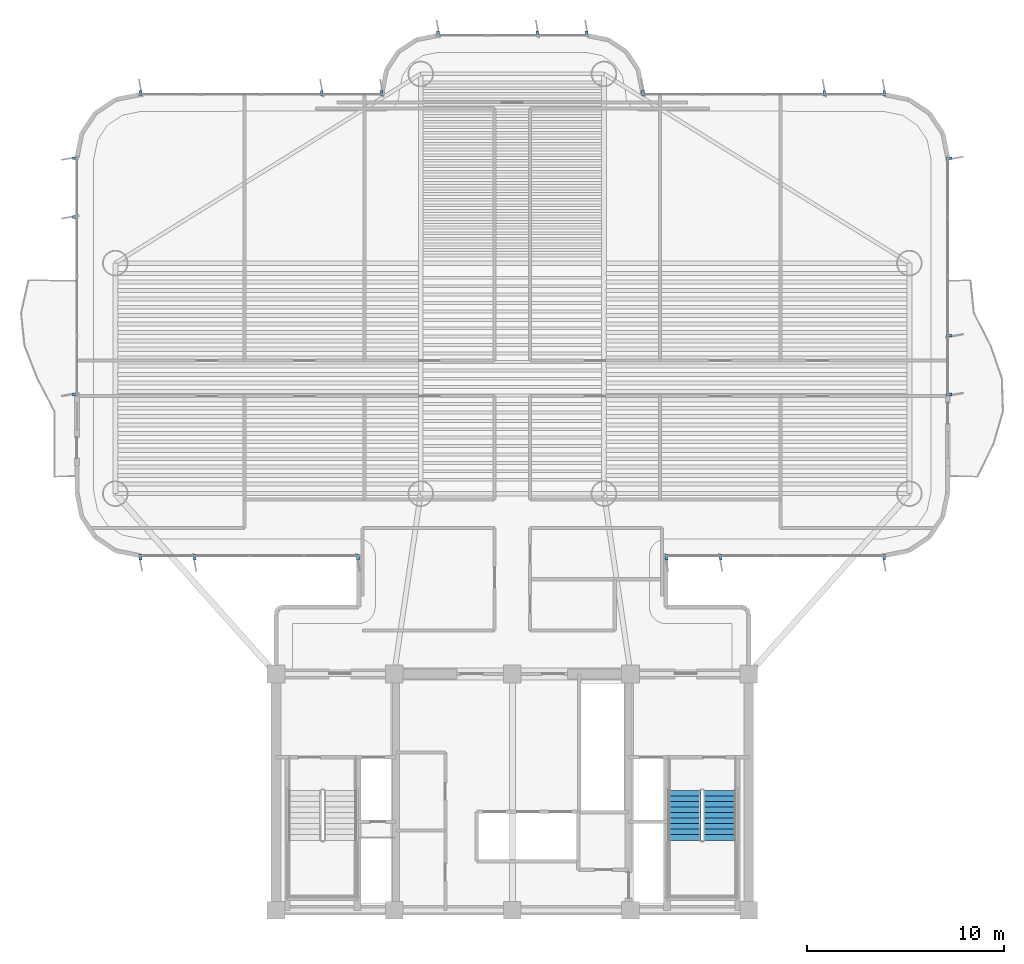
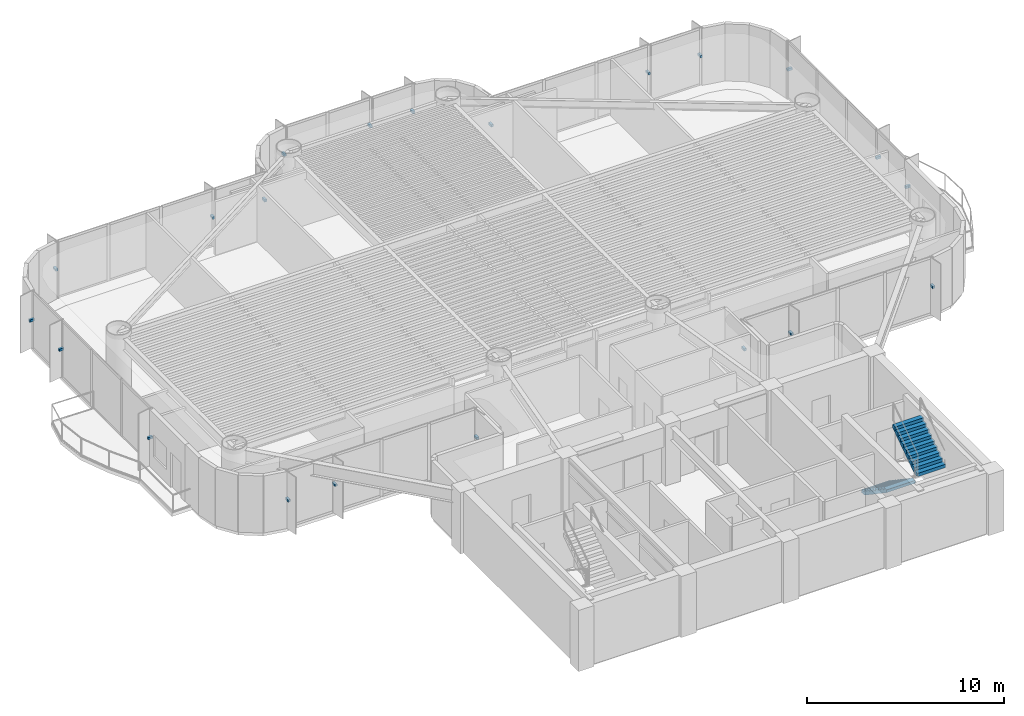
# One storey, part 12 of 16: 21 discrete accessories, 2 stair flights, 1 element without a shape of its own.
"""IFC4 building model written with IfcOpenShell, lengths in metres."""

from ifc_helpers import new_model, si_unit, direction, frame, origin, origin_2d, place, context, subcontext, project, spatial, polyline, rectangle, outline, extrude, source, transform, mapped, material, type_object, element, aggregate, save


model = new_model("IFC4")

# Units and contexts
model_context = context("Model", 3, precision=1e-05, world=origin(), true_north=direction((0.0, 1.0)))
body_context = subcontext(model_context, "Body", "Model", "MODEL_VIEW")
ifc_project = project(units=[si_unit("LENGTHUNIT", "METRE"), si_unit("AREAUNIT", "SQUARE_METRE"), si_unit("VOLUMEUNIT", "CUBIC_METRE"), si_unit("PLANEANGLEUNIT", "RADIAN"), si_unit("MASSUNIT", "GRAM", prefix="KILO")], contexts=[model_context])

# Site, building, storey
site_placement = place(None, origin())
site = spatial("IfcSite", under=ifc_project, at=site_placement, CompositionType="ELEMENT")
building_placement = place(site_placement, origin())
building = spatial("IfcBuilding", under=site, at=building_placement, Name="Brelvock Crest Care Tower", CompositionType="ELEMENT")
storey_placement = place(building_placement, frame((0.0, 0.0, 112.5)))
storey = spatial("IfcBuildingStorey", under=building, at=storey_placement, Name="L28", CompositionType="ELEMENT", Elevation=112.5)

# Stair, stair flights
ifc_material_1 = material(Name="Concrete N40 (40 MPa)", Category="concrete")
stair_type = type_object("IfcStairType", Name="ST-CORE1", PredefinedType="HALF_TURN_STAIR", material=ifc_material_1)
stair_placement = place(storey_placement, origin())
stair = element("IfcStair", 1, at=stair_placement, inside=storey, type_object=stair_type, Name="L28 Fire-Isolated Core Stair ST-2", PredefinedType="HALF_TURN_STAIR")
stair_flight_type = type_object("IfcStairFlightType", Name="STF-1", PredefinedType="STRAIGHT", material=ifc_material_1)
stair_flight_1_placement = place(storey_placement, frame((44.72998046875, 12.080078125, 0.0), z_axis=(0.0, 0.0, 1.0), x_axis=(0.0, -1.0, 0.0)))
stair_flight_1 = element("IfcStairFlight", 2, at=stair_flight_1_placement, type_object=stair_flight_type, Name="ST-2 flight 1", NumberOfRisers=10, NumberOfTreads=9, PredefinedType="STRAIGHT", RiserHeight=0.189, TreadLength=0.28, context=body_context, shape_type="SweptSolid", body=[
    extrude(outline(polyline([(-0.00390625, -0.014892578125), (-0.00390625, -0.0078125), (-0.00390625, -0.00048828125), (-0.00390625, 0.0068359375), (-0.00390625, 0.01416015625), (-0.00390625, 0.021484375), (-0.00390625, 0.02880859375), (-0.00390625, 0.035888671875), (-0.00390625, 0.043212890625), (-0.00390625, 0.050537109375), (-0.00390625, 0.057861328125), (-0.00390625, 0.065185546875), (-0.00390625, 0.072509765625), (-0.00390625, 0.07958984375), (-0.00390625, 0.0869140625), (-0.00390625, 0.09423828125), (-0.00390625, 0.1015625), (-0.00390625, 0.10888671875), (-0.00390625, 0.1162109375), (-0.00390625, 0.12353515625), (-0.00390625, 0.130615234375), (-0.00390625, 0.137939453125), (-0.00390625, 0.145263671875), (-0.00390625, 0.152587890625), (-0.00390625, 0.159912109375), (-0.00390625, 0.167236328125), (-0.00390625, 0.17431640625), (-0.00390625, 0.181640625), (-0.00390625, 0.18896484375), (0.0, 0.18896484375), (0.280029296875, 0.18896484375), (0.280029296875, 0.3779296875), (0.56005859375, 0.3779296875), (0.56005859375, 0.56689453125), (0.840087890625, 0.56689453125), (0.840087890625, 0.756103515625), (1.1201171875, 0.756103515625), (1.1201171875, 0.945068359375), (1.39990234375, 0.945068359375), (1.39990234375, 1.134033203125), (1.679931640625, 1.134033203125), (1.679931640625, 1.322998046875), (1.9599609375, 1.322998046875), (1.9599609375, 1.511962890625), (2.239990234375, 1.511962890625), (2.239990234375, 1.700927734375), (2.52001953125, 1.700927734375), (2.52392578125, 1.700927734375), (2.523681640625, 1.70068359375), (2.52392578125, 1.700439453125), (2.523681640625, 1.699951171875), (2.52392578125, 1.69970703125), (2.523681640625, 1.699462890625), (2.52392578125, 1.698974609375), (2.523681640625, 1.69873046875), (2.52392578125, 1.698486328125), (2.523681640625, 1.697998046875), (2.52392578125, 1.69775390625), (2.523681640625, 1.697509765625), (2.52392578125, 1.697021484375), (2.523681640625, 1.69677734375), (2.52392578125, 1.696533203125), (2.523681640625, 1.6962890625), (2.52392578125, 1.69580078125), (2.523681640625, 1.695556640625), (2.52392578125, 1.6953125), (2.523681640625, 1.69482421875), (2.52392578125, 1.694580078125), (2.523681640625, 1.6943359375), (2.52392578125, 1.69384765625), (2.523681640625, 1.693603515625), (2.52392578125, 1.693359375), (2.523681640625, 1.69287109375), (2.52392578125, 1.692626953125), (2.523681640625, 1.6923828125), (2.52392578125, 1.69189453125), (2.52001953125, 1.520263671875), (0.267822265625, 0.0), (0.0, 0.0), (0.0, -0.014892578125), (-0.00390625, -0.014892578125)])), frame((0.0, 0.83984375, 0.0), z_axis=(0.0, -1.0, 0.0), x_axis=(1.0, 0.0, 0.0)), (0.0, 0.0, 1.0), 1.679931640625),
])
stair_flight_2_placement = place(storey_placement, frame((46.530029296875, 9.56005859375, 1.889892578125), z_axis=(0.0, 0.0, 1.0), x_axis=(0.0, 1.0, 0.0)))
stair_flight_2 = element("IfcStairFlight", 3, at=stair_flight_2_placement, type_object=stair_flight_type, Name="ST-2 flight 2", NumberOfRisers=10, NumberOfTreads=9, PredefinedType="STRAIGHT", RiserHeight=0.189, TreadLength=0.28, context=body_context, shape_type="SweptSolid", body=[
    extrude(outline(polyline([(-0.00390625, -0.014892578125), (-0.00390625, -0.0078125), (-0.00390625, -0.00048828125), (-0.00390625, 0.0068359375), (-0.00390625, 0.01416015625), (-0.00390625, 0.021484375), (-0.00390625, 0.02880859375), (-0.00390625, 0.035888671875), (-0.00390625, 0.043212890625), (-0.00390625, 0.050537109375), (-0.00390625, 0.057861328125), (-0.00390625, 0.065185546875), (-0.00390625, 0.072509765625), (-0.00390625, 0.07958984375), (-0.00390625, 0.0869140625), (-0.00390625, 0.09423828125), (-0.00390625, 0.1015625), (-0.00390625, 0.10888671875), (-0.00390625, 0.1162109375), (-0.00390625, 0.12353515625), (-0.00390625, 0.130615234375), (-0.00390625, 0.137939453125), (-0.00390625, 0.145263671875), (-0.00390625, 0.152587890625), (-0.00390625, 0.159912109375), (-0.00390625, 0.167236328125), (-0.00390625, 0.17431640625), (-0.00390625, 0.181640625), (-0.00390625, 0.18896484375), (0.0, 0.18896484375), (0.280029296875, 0.18896484375), (0.280029296875, 0.3779296875), (0.56005859375, 0.3779296875), (0.56005859375, 0.56689453125), (0.840087890625, 0.56689453125), (0.840087890625, 0.756103515625), (1.1201171875, 0.756103515625), (1.1201171875, 0.945068359375), (1.39990234375, 0.945068359375), (1.39990234375, 1.134033203125), (1.679931640625, 1.134033203125), (1.679931640625, 1.322998046875), (1.9599609375, 1.322998046875), (1.9599609375, 1.511962890625), (2.239990234375, 1.511962890625), (2.239990234375, 1.700927734375), (2.52001953125, 1.700927734375), (2.52392578125, 1.700927734375), (2.523681640625, 1.70068359375), (2.52392578125, 1.700439453125), (2.523681640625, 1.699951171875), (2.52392578125, 1.69970703125), (2.523681640625, 1.699462890625), (2.52392578125, 1.698974609375), (2.523681640625, 1.69873046875), (2.52392578125, 1.698486328125), (2.523681640625, 1.697998046875), (2.52392578125, 1.69775390625), (2.523681640625, 1.697509765625), (2.52392578125, 1.697021484375), (2.523681640625, 1.69677734375), (2.52392578125, 1.696533203125), (2.523681640625, 1.6962890625), (2.52392578125, 1.69580078125), (2.523681640625, 1.695556640625), (2.52392578125, 1.6953125), (2.523681640625, 1.69482421875), (2.52392578125, 1.694580078125), (2.523681640625, 1.6943359375), (2.52392578125, 1.69384765625), (2.523681640625, 1.693603515625), (2.52392578125, 1.693359375), (2.523681640625, 1.69287109375), (2.52392578125, 1.692626953125), (2.523681640625, 1.6923828125), (2.52392578125, 1.69189453125), (2.52001953125, 1.520263671875), (0.267822265625, 0.0), (0.0, 0.0), (0.0, -0.014892578125), (-0.00390625, -0.014892578125)])), frame((0.0, 0.83984375, 0.0), z_axis=(0.0, -1.0, 0.0), x_axis=(1.0, 0.0, 0.0)), (0.0, 0.0, 1.0), 1.679931640625),
])
aggregate(stair, [stair_flight_1, stair_flight_2])

# Discrete accessories
ifc_material_2 = material(Name="Steel Grade 350", Category="steel")
discrete_accessory_type = type_object("IfcDiscreteAccessoryType", Name="ACC-BRK1", PredefinedType="BRACKET", material=ifc_material_2)
shared_shape = source(origin(), body_context, "Body", "SweptSolid", [
    extrude(rectangle(XDim=0.280029296875, YDim=0.139892578125, at=origin_2d()), origin(), (0.0, 0.0, 1.0), 0.139892578125),
])
for number, where, z_axis, x_axis, name in (
    (4, (28.169921875, 23.919921875, 1.69482421875), (0.0, 0.0, 1.0), (0.0, -1.0, 0.0), "L28 Facade Fin Bracket E12-01"),
    (5, (19.875, 23.919921875, 1.69482421875), (0.0, 0.0, 1.0), (0.0, -1.0, 0.0), "L28 Facade Fin Bracket E12-04"),
    (6, (17.1298828125, 23.919921875, 1.69482421875), (0.0, 0.0, 1.0), (0.0, -1.0, 0.0), "L28 Facade Fin Bracket E12-05"),
    (7, (13.820068359375, 32.179931640625, 1.69482421875), (0.0, 0.0, 1.0), (-1.0, 0.0, 0.0), "L28 Facade Fin Bracket E17B-01"),
    (8, (13.820068359375, 41.1875, 1.69482421875), (0.0, 0.0, 1.0), (-1.0, 0.0, 0.0), "L28 Facade Fin Bracket E17B-04"),
    (9, (13.820068359375, 44.169921875, 1.69482421875), (0.0, 0.0, 1.0), (-1.0, 0.0, 0.0), "L28 Facade Fin Bracket E17B-05"),
    (10, (17.1298828125, 47.47998046875, 1.69482421875), (0.0, 0.0, 1.0), (0.0, 1.0, 0.0), "L28 Facade Fin Bracket E22-01"),
    (11, (26.324951171875, 47.47998046875, 1.69482421875), (0.0, 0.0, 1.0), (0.0, 1.0, 0.0), "L28 Facade Fin Bracket E22-04"),
    (12, (29.3701171875, 47.47998046875, 1.69482421875), (0.0, 0.0, 1.0), (0.0, 1.0, 0.0), "L28 Facade Fin Bracket E22-05"),
    (13, (32.22998046875, 50.47998046875, 1.69482421875), (0.0, 0.0, 1.0), (0.0, 1.0, 0.0), "L28 Facade Fin Bracket E28-01"),
    (14, (37.2666015625, 50.47998046875, 1.69482421875), (0.0, 0.0, 1.0), (0.0, 1.0, 0.0), "L28 Facade Fin Bracket E28-03"),
    (15, (39.77001953125, 50.47998046875, 1.69482421875), (0.0, 0.0, 1.0), (0.0, 1.0, 0.0), "L28 Facade Fin Bracket E28-04"),
    (16, (42.6298828125, 47.47998046875, 1.69482421875), (0.0, 0.0, 1.0), (0.0, 1.0, 0.0), "L28 Facade Fin Bracket E34-01"),
    (17, (51.824951171875, 47.47998046875, 1.69482421875), (0.0, 0.0, 1.0), (0.0, 1.0, 0.0), "L28 Facade Fin Bracket E34-04"),
    (18, (54.8701171875, 47.47998046875, 1.69482421875), (0.0, 0.0, 1.0), (0.0, 1.0, 0.0), "L28 Facade Fin Bracket E34-05"),
    (19, (58.179931640625, 44.169921875, 1.69482421875), (0.0, 0.0, 1.0), (1.0, 0.0, 0.0), "L28 Facade Fin Bracket E39A-01"),
    (20, (58.179931640625, 35.16259765625, 1.69482421875), (0.0, 0.0, 1.0), (1.0, 0.0, 0.0), "L28 Facade Fin Bracket E39A-04"),
    (21, (58.179931640625, 32.179931640625, 1.69482421875), (0.0, 0.0, 1.0), (1.0, 0.0, 0.0), "L28 Facade Fin Bracket E39A-05"),
    (22, (54.8701171875, 23.919921875, 1.69482421875), (0.0, 0.0, 1.0), (0.0, -1.0, 0.0), "L28 Facade Fin Bracket E44-01"),
    (23, (46.574951171875, 23.919921875, 1.69482421875), (0.0, 0.0, 1.0), (0.0, -1.0, 0.0), "L28 Facade Fin Bracket E44-04"),
    (24, (43.830078125, 23.919921875, 1.69482421875), (0.0, 0.0, 1.0), (0.0, -1.0, 0.0), "L28 Facade Fin Bracket E44-05"),
):
    element("IfcDiscreteAccessory", number, at=place(storey_placement, frame(where, z_axis=z_axis, x_axis=x_axis)), inside=storey, type_object=discrete_accessory_type, Name=name, PredefinedType="BRACKET", context=body_context, shape_type="MappedRepresentation", body=[
        mapped(shared_shape, transform((0.0, 0.0, 0.0), x_axis=(1.0, 0.0, 0.0), y_axis=(0.0, 1.0, 0.0), z_axis=(0.0, 0.0, 1.0), scale=1.0)),
    ])

save(model, "model.ifc")
